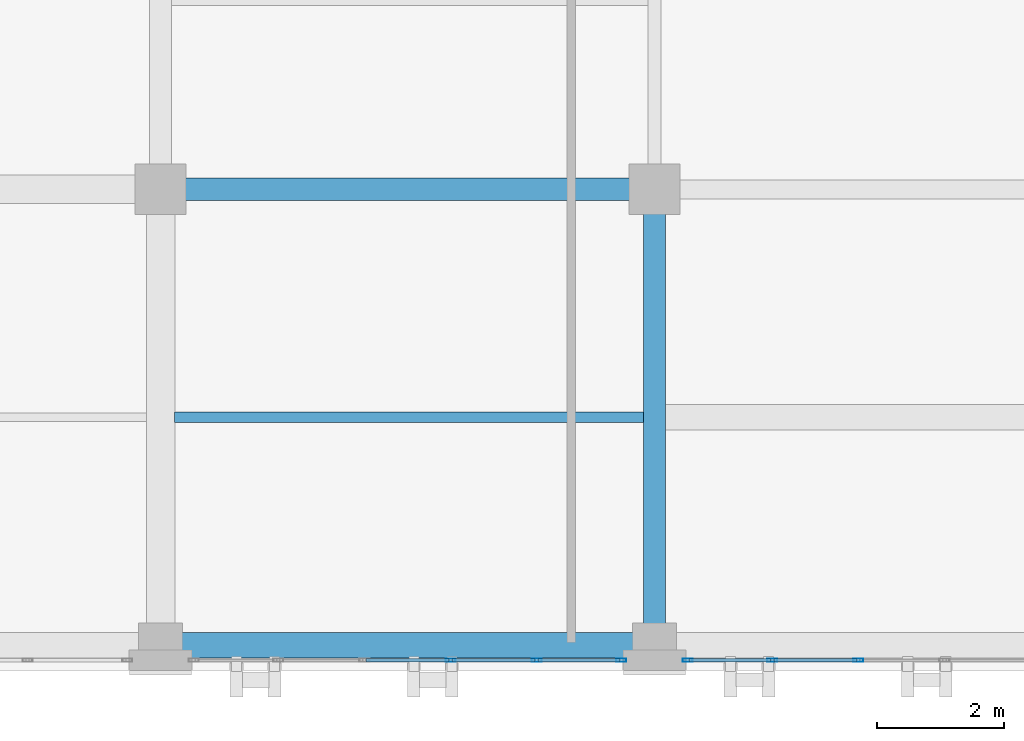
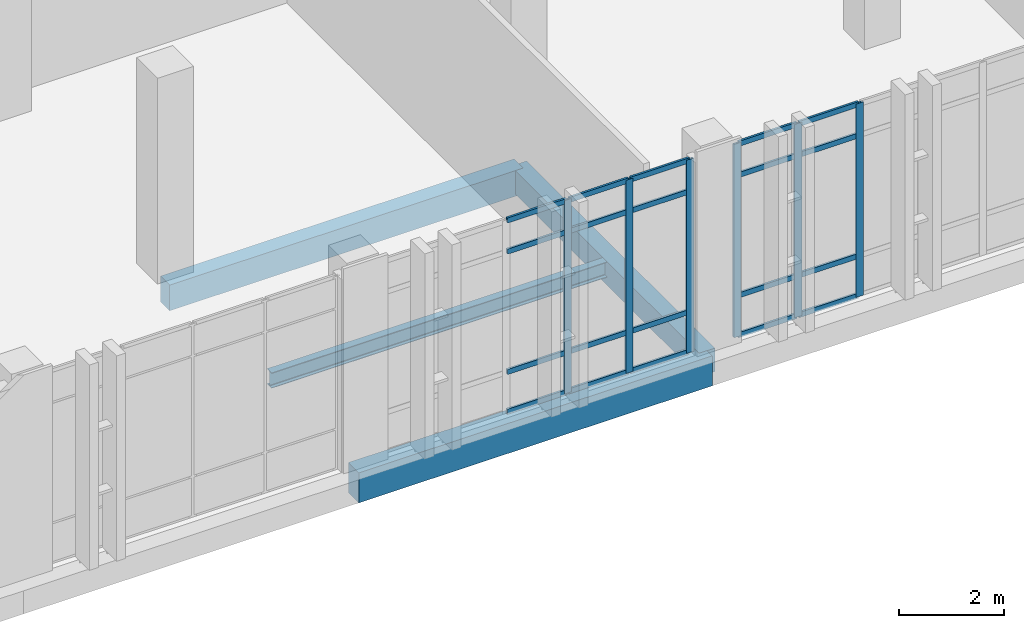
# One storey, part 115 of 189: 26 members, 4 beams, 2 elements without a shape of their own.
"""IFC4 building model written with IfcOpenShell, lengths in metres."""

from ifc_helpers import new_model, si_unit, direction, frame, origin, origin_2d, place, context, subcontext, project, spatial, rectangle, hollow_rectangle, i_section, extrude, material, layer, layer_set, material_profile, profile_set, type_object, element, aggregate, save


model = new_model("IFC4")

# Units and contexts
model_context = context("Model", 3, precision=1e-05, world=origin(), true_north=direction((0.0, 1.0)))
body_context = subcontext(model_context, "Body", "Model", "MODEL_VIEW")
ifc_project = project(units=[si_unit("LENGTHUNIT", "METRE"), si_unit("AREAUNIT", "SQUARE_METRE"), si_unit("VOLUMEUNIT", "CUBIC_METRE"), si_unit("PLANEANGLEUNIT", "RADIAN"), si_unit("MASSUNIT", "GRAM", prefix="KILO")], contexts=[model_context])

# Site, building, storey
site_placement = place(None, origin())
site = spatial("IfcSite", under=ifc_project, at=site_placement, CompositionType="ELEMENT")
building_placement = place(site_placement, origin())
building = spatial("IfcBuilding", under=site, at=building_placement, Name="Qalavern Law Courts", CompositionType="ELEMENT")
storey_placement = place(building_placement, frame((0.0, 0.0, 5.39990234375)))
storey = spatial("IfcBuildingStorey", under=building, at=storey_placement, Name="L01", CompositionType="ELEMENT", Elevation=5.39990234375)

# Curtain wall, members
ifc_material_1 = material(Name="Anodised aluminium and insulated glazing", Category="aluminium")
ifc_layer = layer(ifc_material_1, 0.172119140625)
ifc_layer_set = layer_set([ifc_layer], Name="Anodised aluminium and insulated glazing")
curtain_wall_type = type_object("IfcCurtainWallType", Name="ENV-CW-COURT", PredefinedType="USERDEFINED", material=ifc_layer_set)
curtain_wall_1_placement = place(storey_placement, origin())
curtain_wall_1 = element("IfcCurtainWall", 1, at=curtain_wall_1_placement, inside=storey, type_object=curtain_wall_type, Name="V6 unitised curtain wall L01 south 4", ObjectType="UNITISED CURTAIN WALL", PredefinedType="USERDEFINED")
ifc_material_2 = material(Name="Anodised aluminium", Category="aluminium")
ifc_material_profile_1 = material_profile(ifc_material_2, hollow_rectangle(XDim=0.048095703125, YDim=0.159912109375, WallThickness=0.00390625, at=origin_2d()), Name="ALU MULLION 48x160")
ifc_profile_set_1 = profile_set([ifc_material_profile_1], Name="Anodised aluminium")
member_type_1 = type_object("IfcMemberType", Name="ENV-CWM-48x160", PredefinedType="MULLION", material=ifc_profile_set_1)
member_1_placement = place(storey_placement, frame((138.780029296875, 1.16259765625, 0.0), z_axis=(0.0, 0.0, 1.0), x_axis=(0.0, 1.0, 0.0)))
member_1 = element("IfcMember", 2, at=member_1_placement, type_object=member_type_1, Name="CW-03 mullion 4", PredefinedType="MULLION", context=body_context, shape_type="SweptSolid", body=[
    extrude(hollow_rectangle(XDim=0.048095703125, YDim=0.159912109375, WallThickness=0.00390625, at=origin_2d()), origin(), (0.0, 0.0, 1.0), 4.510009765625),
])
member_2_placement = place(storey_placement, frame((140.139892578125, 1.16259765625, 0.0), z_axis=(0.0, 0.0, 1.0), x_axis=(0.0, 1.0, 0.0)))
member_2 = element("IfcMember", 3, at=member_2_placement, type_object=member_type_1, Name="CW-03 mullion 5", PredefinedType="MULLION", context=body_context, shape_type="SweptSolid", body=[
    extrude(hollow_rectangle(XDim=0.048095703125, YDim=0.159912109375, WallThickness=0.00390625, at=origin_2d()), origin(), (0.0, 0.0, 1.0), 4.510009765625),
])
member_3_placement = place(storey_placement, frame((141.47607421875, 1.16259765625, 0.0), z_axis=(0.0, 0.0, 1.0), x_axis=(0.0, 1.0, 0.0)))
member_3 = element("IfcMember", 4, at=member_3_placement, type_object=member_type_1, Name="CW-03 mullion 6", PredefinedType="MULLION", context=body_context, shape_type="SweptSolid", body=[
    extrude(hollow_rectangle(XDim=0.048095703125, YDim=0.159912109375, WallThickness=0.00390625, at=origin_2d()), origin(), (0.0, 0.0, 1.0), 4.510009765625),
])

curtain_wall_2_placement = place(storey_placement, origin())
curtain_wall_2 = element("IfcCurtainWall", 5, at=curtain_wall_2_placement, inside=storey, type_object=curtain_wall_type, Name="V6 unitised curtain wall L01 south 5", ObjectType="UNITISED CURTAIN WALL", PredefinedType="USERDEFINED")
member_4_placement = place(storey_placement, frame((142.52392578125, 1.16259765625, 0.0), z_axis=(0.0, 0.0, 1.0), x_axis=(0.0, 1.0, 0.0)))
member_4 = element("IfcMember", 6, at=member_4_placement, type_object=member_type_1, Name="CW-03 mullion 1", PredefinedType="MULLION", context=body_context, shape_type="SweptSolid", body=[
    extrude(hollow_rectangle(XDim=0.048095703125, YDim=0.159912109375, WallThickness=0.00390625, at=origin_2d()), origin(), (0.0, 0.0, 1.0), 4.510009765625),
])
member_5_placement = place(storey_placement, frame((143.860107421875, 1.16259765625, 0.0), z_axis=(0.0, 0.0, 1.0), x_axis=(0.0, 1.0, 0.0)))
member_5 = element("IfcMember", 7, at=member_5_placement, type_object=member_type_1, Name="CW-03 mullion 2", PredefinedType="MULLION", context=body_context, shape_type="SweptSolid", body=[
    extrude(hollow_rectangle(XDim=0.048095703125, YDim=0.159912109375, WallThickness=0.00390625, at=origin_2d()), origin(), (0.0, 0.0, 1.0), 4.510009765625),
])
member_6_placement = place(storey_placement, frame((145.219970703125, 1.16259765625, 0.0), z_axis=(0.0, 0.0, 1.0), x_axis=(0.0, 1.0, 0.0)))
member_6 = element("IfcMember", 8, at=member_6_placement, type_object=member_type_1, Name="CW-03 mullion 3", PredefinedType="MULLION", context=body_context, shape_type="SweptSolid", body=[
    extrude(hollow_rectangle(XDim=0.048095703125, YDim=0.159912109375, WallThickness=0.00390625, at=origin_2d()), origin(), (0.0, 0.0, 1.0), 4.510009765625),
])

# Member
ifc_material_profile_2 = material_profile(ifc_material_2, hollow_rectangle(XDim=0.048095703125, YDim=0.1201171875, WallThickness=0.00390625, at=origin_2d()), Name="ALU TRANSOM 48x120")
ifc_profile_set_2 = profile_set([ifc_material_profile_2], Name="Anodised aluminium")
member_type_2 = type_object("IfcMemberType", Name="ENV-CWT-48x120", PredefinedType="USERDEFINED", material=ifc_profile_set_2)
member_7_placement = place(storey_placement, frame((137.444091796875, 1.16259765625, 0.024169921875), z_axis=(1.0, 0.0, 0.0), x_axis=(0.0, 1.0, 0.0)))
member_7 = element("IfcMember", 9, at=member_7_placement, type_object=member_type_2, Name="CW-03 transom 3.1", ObjectType="TRANSOM", PredefinedType="USERDEFINED", context=body_context, shape_type="SweptSolid", body=[
    extrude(hollow_rectangle(XDim=0.048095703125, YDim=0.1201171875, WallThickness=0.00390625, at=origin_2d()), origin(), (0.0, 0.0, 1.0), 1.31201171875),
])

member_8_placement = place(storey_placement, frame((137.444091796875, 1.16259765625, 0.9501953125), z_axis=(1.0, 0.0, 0.0), x_axis=(0.0, 1.0, 0.0)))
member_8 = element("IfcMember", 10, at=member_8_placement, type_object=member_type_2, Name="CW-03 transom 3.2", ObjectType="TRANSOM", PredefinedType="USERDEFINED", context=body_context, shape_type="SweptSolid", body=[
    extrude(hollow_rectangle(XDim=0.048095703125, YDim=0.1201171875, WallThickness=0.00390625, at=origin_2d()), origin(), (0.0, 0.0, 1.0), 1.31201171875),
])

member_9_placement = place(storey_placement, frame((137.444091796875, 1.16259765625, 3.760009765625), z_axis=(1.0, 0.0, 0.0), x_axis=(0.0, 1.0, 0.0)))
member_9 = element("IfcMember", 11, at=member_9_placement, type_object=member_type_2, Name="CW-03 transom 3.3", ObjectType="TRANSOM", PredefinedType="USERDEFINED", context=body_context, shape_type="SweptSolid", body=[
    extrude(hollow_rectangle(XDim=0.048095703125, YDim=0.1201171875, WallThickness=0.00390625, at=origin_2d()), origin(), (0.0, 0.0, 1.0), 1.31201171875),
])

member_10_placement = place(storey_placement, frame((137.444091796875, 1.16259765625, 4.486083984375), z_axis=(1.0, 0.0, 0.0), x_axis=(0.0, 1.0, 0.0)))
member_10 = element("IfcMember", 12, at=member_10_placement, type_object=member_type_2, Name="CW-03 transom 3.4", ObjectType="TRANSOM", PredefinedType="USERDEFINED", context=body_context, shape_type="SweptSolid", body=[
    extrude(hollow_rectangle(XDim=0.048095703125, YDim=0.1201171875, WallThickness=0.00390625, at=origin_2d()), origin(), (0.0, 0.0, 1.0), 1.31201171875),
])

member_11_placement = place(storey_placement, frame((138.803955078125, 1.16259765625, 0.024169921875), z_axis=(1.0, 0.0, 0.0), x_axis=(0.0, 1.0, 0.0)))
member_11 = element("IfcMember", 13, at=member_11_placement, type_object=member_type_2, Name="CW-03 transom 4.1", ObjectType="TRANSOM", PredefinedType="USERDEFINED", context=body_context, shape_type="SweptSolid", body=[
    extrude(hollow_rectangle(XDim=0.048095703125, YDim=0.1201171875, WallThickness=0.00390625, at=origin_2d()), origin(), (0.0, 0.0, 1.0), 1.31201171875),
])

member_12_placement = place(storey_placement, frame((138.803955078125, 1.16259765625, 0.9501953125), z_axis=(1.0, 0.0, 0.0), x_axis=(0.0, 1.0, 0.0)))
member_12 = element("IfcMember", 14, at=member_12_placement, type_object=member_type_2, Name="CW-03 transom 4.2", ObjectType="TRANSOM", PredefinedType="USERDEFINED", context=body_context, shape_type="SweptSolid", body=[
    extrude(hollow_rectangle(XDim=0.048095703125, YDim=0.1201171875, WallThickness=0.00390625, at=origin_2d()), origin(), (0.0, 0.0, 1.0), 1.31201171875),
])

member_13_placement = place(storey_placement, frame((138.803955078125, 1.16259765625, 3.760009765625), z_axis=(1.0, 0.0, 0.0), x_axis=(0.0, 1.0, 0.0)))
member_13 = element("IfcMember", 15, at=member_13_placement, type_object=member_type_2, Name="CW-03 transom 4.3", ObjectType="TRANSOM", PredefinedType="USERDEFINED", context=body_context, shape_type="SweptSolid", body=[
    extrude(hollow_rectangle(XDim=0.048095703125, YDim=0.1201171875, WallThickness=0.00390625, at=origin_2d()), origin(), (0.0, 0.0, 1.0), 1.31201171875),
])

member_14_placement = place(storey_placement, frame((138.803955078125, 1.16259765625, 4.486083984375), z_axis=(1.0, 0.0, 0.0), x_axis=(0.0, 1.0, 0.0)))
member_14 = element("IfcMember", 16, at=member_14_placement, type_object=member_type_2, Name="CW-03 transom 4.4", ObjectType="TRANSOM", PredefinedType="USERDEFINED", context=body_context, shape_type="SweptSolid", body=[
    extrude(hollow_rectangle(XDim=0.048095703125, YDim=0.1201171875, WallThickness=0.00390625, at=origin_2d()), origin(), (0.0, 0.0, 1.0), 1.31201171875),
])

member_15_placement = place(storey_placement, frame((140.1640625, 1.16259765625, 0.024169921875), z_axis=(1.0, 0.0, 0.0), x_axis=(0.0, 1.0, 0.0)))
member_15 = element("IfcMember", 17, at=member_15_placement, type_object=member_type_2, Name="CW-03 transom 5.1", ObjectType="TRANSOM", PredefinedType="USERDEFINED", context=body_context, shape_type="SweptSolid", body=[
    extrude(hollow_rectangle(XDim=0.048095703125, YDim=0.1201171875, WallThickness=0.00390625, at=origin_2d()), origin(), (0.0, 0.0, 1.0), 1.287841796875),
])

member_16_placement = place(storey_placement, frame((140.1640625, 1.16259765625, 0.9501953125), z_axis=(1.0, 0.0, 0.0), x_axis=(0.0, 1.0, 0.0)))
member_16 = element("IfcMember", 18, at=member_16_placement, type_object=member_type_2, Name="CW-03 transom 5.2", ObjectType="TRANSOM", PredefinedType="USERDEFINED", context=body_context, shape_type="SweptSolid", body=[
    extrude(hollow_rectangle(XDim=0.048095703125, YDim=0.1201171875, WallThickness=0.00390625, at=origin_2d()), origin(), (0.0, 0.0, 1.0), 1.287841796875),
])

member_17_placement = place(storey_placement, frame((140.1640625, 1.16259765625, 3.760009765625), z_axis=(1.0, 0.0, 0.0), x_axis=(0.0, 1.0, 0.0)))
member_17 = element("IfcMember", 19, at=member_17_placement, type_object=member_type_2, Name="CW-03 transom 5.3", ObjectType="TRANSOM", PredefinedType="USERDEFINED", context=body_context, shape_type="SweptSolid", body=[
    extrude(hollow_rectangle(XDim=0.048095703125, YDim=0.1201171875, WallThickness=0.00390625, at=origin_2d()), origin(), (0.0, 0.0, 1.0), 1.287841796875),
])

member_18_placement = place(storey_placement, frame((140.1640625, 1.16259765625, 4.486083984375), z_axis=(1.0, 0.0, 0.0), x_axis=(0.0, 1.0, 0.0)))
member_18 = element("IfcMember", 20, at=member_18_placement, type_object=member_type_2, Name="CW-03 transom 5.4", ObjectType="TRANSOM", PredefinedType="USERDEFINED", context=body_context, shape_type="SweptSolid", body=[
    extrude(hollow_rectangle(XDim=0.048095703125, YDim=0.1201171875, WallThickness=0.00390625, at=origin_2d()), origin(), (0.0, 0.0, 1.0), 1.287841796875),
])

aggregate(curtain_wall_1, [member_1, member_2, member_3, member_7, member_8, member_9, member_10, member_11, member_12, member_13, member_14, member_15, member_16, member_17, member_18])

member_19_placement = place(storey_placement, frame((142.548095703125, 1.16259765625, 0.024169921875), z_axis=(1.0, 0.0, 0.0), x_axis=(0.0, 1.0, 0.0)))
member_19 = element("IfcMember", 21, at=member_19_placement, type_object=member_type_2, Name="CW-03 transom 1.1", ObjectType="TRANSOM", PredefinedType="USERDEFINED", context=body_context, shape_type="SweptSolid", body=[
    extrude(hollow_rectangle(XDim=0.048095703125, YDim=0.1201171875, WallThickness=0.00390625, at=origin_2d()), origin(), (0.0, 0.0, 1.0), 1.287841796875),
])

member_20_placement = place(storey_placement, frame((142.548095703125, 1.16259765625, 0.9501953125), z_axis=(1.0, 0.0, 0.0), x_axis=(0.0, 1.0, 0.0)))
member_20 = element("IfcMember", 22, at=member_20_placement, type_object=member_type_2, Name="CW-03 transom 1.2", ObjectType="TRANSOM", PredefinedType="USERDEFINED", context=body_context, shape_type="SweptSolid", body=[
    extrude(hollow_rectangle(XDim=0.048095703125, YDim=0.1201171875, WallThickness=0.00390625, at=origin_2d()), origin(), (0.0, 0.0, 1.0), 1.287841796875),
])

member_21_placement = place(storey_placement, frame((142.548095703125, 1.16259765625, 3.760009765625), z_axis=(1.0, 0.0, 0.0), x_axis=(0.0, 1.0, 0.0)))
member_21 = element("IfcMember", 23, at=member_21_placement, type_object=member_type_2, Name="CW-03 transom 1.3", ObjectType="TRANSOM", PredefinedType="USERDEFINED", context=body_context, shape_type="SweptSolid", body=[
    extrude(hollow_rectangle(XDim=0.048095703125, YDim=0.1201171875, WallThickness=0.00390625, at=origin_2d()), origin(), (0.0, 0.0, 1.0), 1.287841796875),
])

member_22_placement = place(storey_placement, frame((142.548095703125, 1.16259765625, 4.486083984375), z_axis=(1.0, 0.0, 0.0), x_axis=(0.0, 1.0, 0.0)))
member_22 = element("IfcMember", 24, at=member_22_placement, type_object=member_type_2, Name="CW-03 transom 1.4", ObjectType="TRANSOM", PredefinedType="USERDEFINED", context=body_context, shape_type="SweptSolid", body=[
    extrude(hollow_rectangle(XDim=0.048095703125, YDim=0.1201171875, WallThickness=0.00390625, at=origin_2d()), origin(), (0.0, 0.0, 1.0), 1.287841796875),
])

member_23_placement = place(storey_placement, frame((143.884033203125, 1.16259765625, 0.024169921875), z_axis=(1.0, 0.0, 0.0), x_axis=(0.0, 1.0, 0.0)))
member_23 = element("IfcMember", 25, at=member_23_placement, type_object=member_type_2, Name="CW-03 transom 2.1", ObjectType="TRANSOM", PredefinedType="USERDEFINED", context=body_context, shape_type="SweptSolid", body=[
    extrude(hollow_rectangle(XDim=0.048095703125, YDim=0.1201171875, WallThickness=0.00390625, at=origin_2d()), origin(), (0.0, 0.0, 1.0), 1.31201171875),
])

member_24_placement = place(storey_placement, frame((143.884033203125, 1.16259765625, 0.9501953125), z_axis=(1.0, 0.0, 0.0), x_axis=(0.0, 1.0, 0.0)))
member_24 = element("IfcMember", 26, at=member_24_placement, type_object=member_type_2, Name="CW-03 transom 2.2", ObjectType="TRANSOM", PredefinedType="USERDEFINED", context=body_context, shape_type="SweptSolid", body=[
    extrude(hollow_rectangle(XDim=0.048095703125, YDim=0.1201171875, WallThickness=0.00390625, at=origin_2d()), origin(), (0.0, 0.0, 1.0), 1.31201171875),
])

member_25_placement = place(storey_placement, frame((143.884033203125, 1.16259765625, 3.760009765625), z_axis=(1.0, 0.0, 0.0), x_axis=(0.0, 1.0, 0.0)))
member_25 = element("IfcMember", 27, at=member_25_placement, type_object=member_type_2, Name="CW-03 transom 2.3", ObjectType="TRANSOM", PredefinedType="USERDEFINED", context=body_context, shape_type="SweptSolid", body=[
    extrude(hollow_rectangle(XDim=0.048095703125, YDim=0.1201171875, WallThickness=0.00390625, at=origin_2d()), origin(), (0.0, 0.0, 1.0), 1.31201171875),
])

member_26_placement = place(storey_placement, frame((143.884033203125, 1.16259765625, 4.486083984375), z_axis=(1.0, 0.0, 0.0), x_axis=(0.0, 1.0, 0.0)))
member_26 = element("IfcMember", 28, at=member_26_placement, type_object=member_type_2, Name="CW-03 transom 2.4", ObjectType="TRANSOM", PredefinedType="USERDEFINED", context=body_context, shape_type="SweptSolid", body=[
    extrude(hollow_rectangle(XDim=0.048095703125, YDim=0.1201171875, WallThickness=0.00390625, at=origin_2d()), origin(), (0.0, 0.0, 1.0), 1.31201171875),
])

aggregate(curtain_wall_2, [member_4, member_5, member_6, member_19, member_20, member_21, member_22, member_23, member_24, member_25, member_26])

# Beams
ifc_material_3 = material(Name="Concrete C35/45", Category="concrete")
ifc_material_profile_3 = material_profile(ifc_material_3, rectangle(XDim=0.35009765625, YDim=0.550048828125, at=origin_2d()), Name="RC 350x550")
ifc_profile_set_3 = profile_set([ifc_material_profile_3], Name="Concrete C35/45")
beam_type_1 = type_object("IfcBeamType", Name="STR-BM-RC350x550", PredefinedType="BEAM", material=ifc_profile_set_3)
beam_1_placement = place(storey_placement, frame((142.0, 1.39990234375, -0.574951171875), z_axis=(0.0, 1.0, 0.0), x_axis=(-1.0, 0.0, 0.0)))
element("IfcBeam", 29, at=beam_1_placement, inside=storey, type_object=beam_type_1, Name="V6 Y-beam 6-1 L01", PredefinedType="BEAM", context=body_context, shape_type="SweptSolid", body=[
    extrude(rectangle(XDim=0.35009765625, YDim=0.550048828125, at=origin_2d()), origin(), (0.0, 0.0, 1.0), 7.2001953125),
])
ifc_material_profile_4 = material_profile(ifc_material_3, rectangle(XDim=0.35009765625, YDim=0.60009765625, at=origin_2d()), Name="RC 350x600")
ifc_profile_set_4 = profile_set([ifc_material_profile_4], Name="Concrete C35/45")
beam_type_2 = type_object("IfcBeamType", Name="STR-BM-RC350x600", PredefinedType="BEAM", material=ifc_profile_set_4)
beam_2_placement = place(storey_placement, frame((134.199951171875, 8.60009765625, -0.599853515625), z_axis=(1.0, 0.0, 0.0), x_axis=(0.0, 1.0, 0.0)))
element("IfcBeam", 30, at=beam_2_placement, inside=storey, type_object=beam_type_2, Name="V6 X-beam 2-5 L01", PredefinedType="BEAM", context=body_context, shape_type="SweptSolid", body=[
    extrude(rectangle(XDim=0.35009765625, YDim=0.60009765625, at=origin_2d()), origin(), (0.0, 0.0, 1.0), 7.800048828125),
])
ifc_material_4 = material(Name="Steel S355", Category="steel")
ifc_material_profile_5 = material_profile(ifc_material_4, i_section(OverallWidth=0.169921875, OverallDepth=0.360107421875, WebThickness=0.008056640625, FlangeThickness=0.0126953125, FilletRadius=0.01806640625, at=origin_2d()), Name="IPE 360")
ifc_profile_set_5 = profile_set([ifc_material_profile_5], Name="Steel S355")
beam_type_3 = type_object("IfcBeamType", Name="STR-JST-IPE360", PredefinedType="JOIST", material=ifc_profile_set_5)
beam_3_placement = place(storey_placement, frame((134.423095703125, 5.0, -0.47998046875), z_axis=(1.0, 0.0, 0.0), x_axis=(0.0, 1.0, 0.0)))
element("IfcBeam", 31, at=beam_3_placement, inside=storey, type_object=beam_type_3, Name="V6 secondary joist 5.1.1 L01", PredefinedType="JOIST", context=body_context, shape_type="SweptSolid", body=[
    extrude(i_section(OverallWidth=0.169921875, OverallDepth=0.360107421875, WebThickness=0.008056640625, FlangeThickness=0.0126953125, FilletRadius=0.01806640625, at=origin_2d()), origin(), (0.0, 0.0, 1.0), 7.40380859375),
])
ifc_material_5 = material(Name="Concrete C40/50", Category="concrete")
ifc_material_profile_6 = material_profile(ifc_material_5, rectangle(XDim=0.39990234375, YDim=0.699951171875, at=origin_2d()), Name="RC 400x700")
ifc_profile_set_6 = profile_set([ifc_material_profile_6], Name="Concrete C40/50")
beam_type_4 = type_object("IfcBeamType", Name="STR-SP-RC400x700", PredefinedType="SPANDREL", material=ifc_profile_set_6)
beam_4_placement = place(storey_placement, frame((134.199951171875, 1.39990234375, -0.64990234375), z_axis=(1.0, 0.0, 0.0), x_axis=(0.0, 1.0, 0.0)))
element("IfcBeam", 32, at=beam_4_placement, inside=storey, type_object=beam_type_4, Name="V6 X-beam 1-5 L01", PredefinedType="SPANDREL", context=body_context, shape_type="SweptSolid", body=[
    extrude(rectangle(XDim=0.39990234375, YDim=0.699951171875, at=origin_2d()), origin(), (0.0, 0.0, 1.0), 7.800048828125),
])

save(model, "model.ifc")
